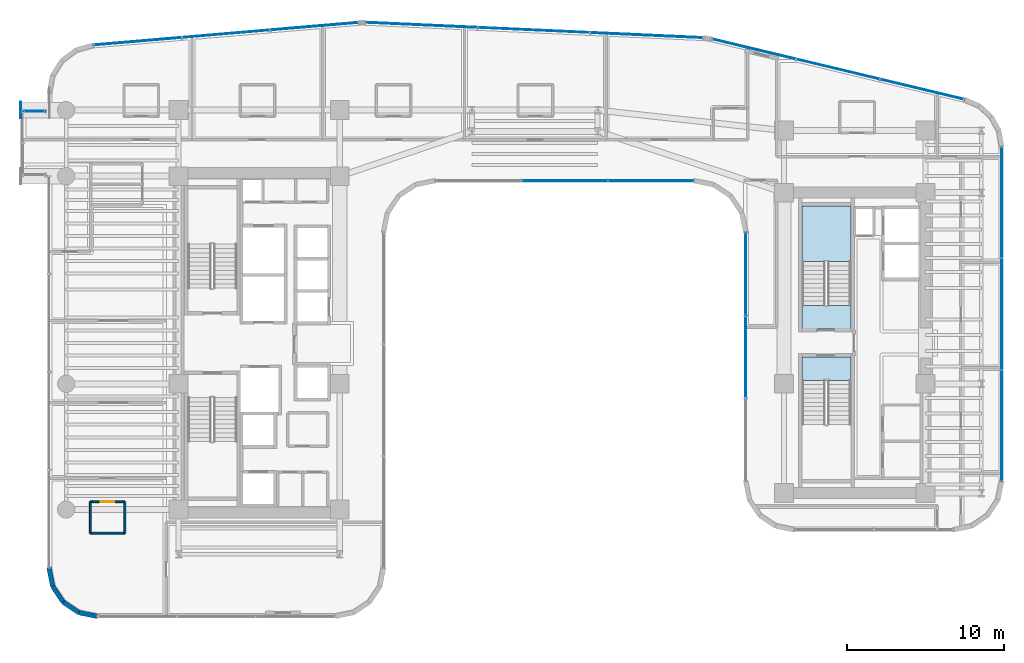
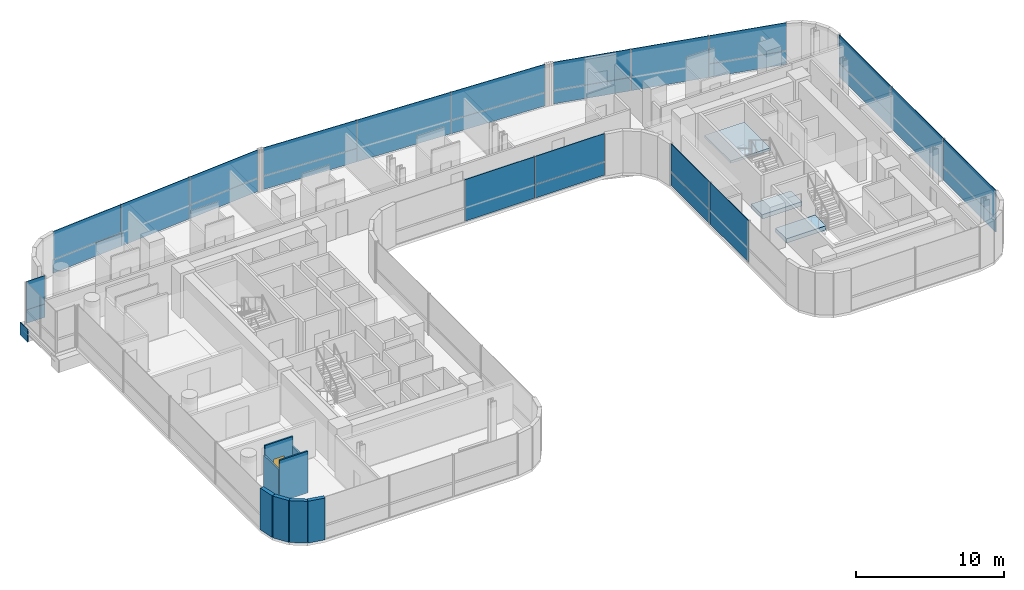
# One storey, part 26 of 35: 29 plates, 8 walls, 3 slabs, 1 door, 1 opening, 8 elements without a shape of their own.
"""IFC4 building model written with IfcOpenShell, lengths in metres."""

from ifc_helpers import new_model, si_unit, direction, frame, frame_2d, origin, origin_2d, place, context, subcontext, project, spatial, polyline, rectangle, outline, extrude, source, transform, mapped, material, layer, layer_set, type_object, element, fill, aggregate, save


model = new_model("IFC4")

# Units and contexts
model_context = context("Model", 3, precision=1e-05, world=origin(), true_north=direction((0.0, 1.0)))
body_context = subcontext(model_context, "Body", "Model", "MODEL_VIEW")
ifc_project = project(units=[si_unit("LENGTHUNIT", "METRE"), si_unit("AREAUNIT", "SQUARE_METRE"), si_unit("VOLUMEUNIT", "CUBIC_METRE"), si_unit("PLANEANGLEUNIT", "RADIAN"), si_unit("MASSUNIT", "GRAM", prefix="KILO")], contexts=[model_context])

# Site, building, storey
site_placement = place(None, origin())
site = spatial("IfcSite", under=ifc_project, at=site_placement, CompositionType="ELEMENT")
building_placement = place(site_placement, origin())
building = spatial("IfcBuilding", under=site, at=building_placement, Name="Valdorenza Pilgrim Sanctuary Tower", CompositionType="ELEMENT")
storey_placement = place(building_placement, frame((0.0, 0.0, 116.800048828125)))
storey = spatial("IfcBuildingStorey", under=building, at=storey_placement, Name="L29", CompositionType="ELEMENT", Elevation=116.800048828125)

# Stair, slab
ifc_material_1 = material(Name="Concrete C40/50", Category="concrete")
stair_type = type_object("IfcStairType", Name="STR-DOG-CORE", PredefinedType="HALF_TURN_STAIR", material=ifc_material_1)
stair_placement = place(storey_placement, origin())
stair = element("IfcStair", 1, at=stair_placement, inside=storey, type_object=stair_type, Name="L29 ST-B1", PredefinedType="HALF_TURN_STAIR")
ifc_layer_1 = layer(ifc_material_1, 0.199951171875, Name="Concrete C40/50")
ifc_layer_set_1 = layer_set([ifc_layer_1], Name="Concrete C40/50")
slab_type_1 = type_object("IfcSlabType", Name="SLAB-STL-200", PredefinedType="LANDING", material=ifc_layer_set_1)
slab_1_placement = place(storey_placement, frame((0.0, 0.0, 1.64990234375)))
slab_1 = element("IfcSlab", 2, at=slab_1_placement, type_object=slab_type_1, Name="ST-B1 landing 1", PredefinedType="LANDING", context=body_context, shape_type="SweptSolid", body=[
    extrude(outline(polyline([(20.110107421875, 5.179931640625), (20.110107421875, 8.699951171875), (17.0, 8.699951171875), (17.0, 5.179931640625), (20.110107421875, 5.179931640625)])), origin(), (0.0, 0.0, 1.0), 0.199951171875),
])
aggregate(stair, [slab_1])

# Slabs
ifc_material_2 = material(Name="Concrete C50/60", Category="concrete")
ifc_layer_2 = layer(ifc_material_2, 0.39990234375, Name="Concrete C50/60")
ifc_layer_set_2 = layer_set([ifc_layer_2], Name="Concrete C50/60")
slab_type_2 = type_object("IfcSlabType", Name="SLAB-TRF-400", PredefinedType="FLOOR", material=ifc_layer_set_2)
slab_2_placement = place(storey_placement, frame((0.0, 0.0, -0.360107421875)))
element("IfcSlab", 3, at=slab_2_placement, inside=storey, type_object=slab_type_2, Name="L29 ST-B1 Structural Stair Landing Bearing Slab", PredefinedType="FLOOR", context=body_context, shape_type="SweptSolid", body=[
    extrude(outline(polyline([(17.0, 0.89990234375), (20.110107421875, 0.89990234375), (20.110107421875, 2.385009765625), (17.0, 2.385009765625), (17.0, 0.89990234375)])), origin(), (0.0, 0.0, 1.0), 0.360107421875),
])
slab_3_placement = place(storey_placement, frame((0.0, 0.0, -0.360107421875)))
element("IfcSlab", 4, at=slab_3_placement, inside=storey, type_object=slab_type_2, Name="L29 ST-B2 Structural Stair Landing Bearing Slab", PredefinedType="FLOOR", context=body_context, shape_type="SweptSolid", body=[
    extrude(outline(polyline([(17.0, -2.385009765625), (20.110107421875, -2.385009765625), (20.110107421875, -0.89990234375), (17.0, -0.89990234375), (17.0, -2.385009765625)])), origin(), (0.0, 0.0, 1.0), 0.360107421875),
])

# Plate
ifc_material_3 = material(Name="Steel ASTM A572 Grade 42", Category="steel")
ifc_layer_3 = layer(ifc_material_3, 0.06005859375, Name="Steel ASTM A572 Grade 42")
ifc_layer_set_3 = layer_set([ifc_layer_3], Name="Steel ASTM A572 Grade 42")
plate_type_1 = type_object("IfcPlateType", Name="PLT-CAP-60", PredefinedType="SHEET", material=ifc_layer_set_3)
shared_shape_1 = source(origin(), body_context, "Body", "SweptSolid", [
    extrude(rectangle(XDim=0.06005859375, YDim=1.0400390625, at=origin_2d()), origin(), (0.0, 0.0, 1.0), 1.0400390625),
])
plate_1_placement = place(storey_placement, frame((-32.679931640625, 14.800048828125, -1.260009765625), z_axis=(0.0, 0.0, 1.0), x_axis=(1.0, 0.0, 0.0)))
element("IfcPlate", 5, at=plate_1_placement, inside=storey, type_object=plate_type_1, Name="L29 BOX-WA-L29 Cantilever Tip End Cap N", PredefinedType="SHEET", context=body_context, shape_type="MappedRepresentation", body=[
    mapped(shared_shape_1, transform((0.0, 0.0, 0.0), x_axis=(1.0, 0.0, 0.0), y_axis=(0.0, 1.0, 0.0), z_axis=(0.0, 0.0, 1.0), scale=1.0)),
])

# Curtain wall, plates
ifc_material_4 = material(Name="Curtain-wall IGU glazing", Category="glass")
curtain_wall_type_1 = type_object("IfcCurtainWallType", Name="CW-SYS-02", PredefinedType="NOTDEFINED", material=ifc_material_4)
curtain_wall_1_placement = place(storey_placement, origin())
curtain_wall_1 = element("IfcCurtainWall", 6, at=curtain_wall_1_placement, inside=storey, type_object=curtain_wall_type_1, Name="L29 Curtain Wall CW-L29-1-36", PredefinedType="NOTDEFINED")
ifc_material_5 = material(Name="Honed travertine limestone", Category="masonry")
ifc_layer_4 = layer(ifc_material_5, 0.050048828125, Name="Honed travertine limestone")
ifc_layer_set_4 = layer_set([ifc_layer_4], Name="Honed travertine limestone")
plate_type_2 = type_object("IfcPlateType", Name="CW-SPN-TRV", PredefinedType="USERDEFINED", material=ifc_layer_set_4)
shared_shape_2 = source(origin(), body_context, "Body", "SweptSolid", [
    extrude(rectangle(XDim=5.453857421875, YDim=0.06005859375, at=origin_2d()), origin(), (0.0, 0.0, 1.0), 1.10009765625),
])
plate_2_placement = place(storey_placement, frame((7.373779296875, 10.31005859375, 0.010009765625), z_axis=(0.0, 0.0, 1.0), x_axis=(-1.0, 0.0, 0.0)))
plate_2 = element("IfcPlate", 7, at=plate_2_placement, type_object=plate_type_2, Name="CW-L29-1-36 Travertine Spandrel 1", ObjectType="SPANDREL", PredefinedType="USERDEFINED", context=body_context, shape_type="MappedRepresentation", body=[
    mapped(shared_shape_2, transform((0.0, 0.0, 0.0), x_axis=(1.0, 0.0, 0.0), y_axis=(0.0, 1.0, 0.0), z_axis=(0.0, 0.0, 1.0), scale=1.0)),
])
ifc_material_6 = material(Name="Ceramic-fritted low-E IGU glazing", Category="glass")
ifc_layer_5 = layer(ifc_material_6, 0.035888671875, Name="Ceramic-fritted low-E IGU glazing")
ifc_layer_set_5 = layer_set([ifc_layer_5], Name="Ceramic-fritted low-E IGU glazing")
plate_type_3 = type_object("IfcPlateType", Name="CW-GLZ-IGU", PredefinedType="USERDEFINED", material=ifc_layer_set_5)
shared_shape_3 = source(origin(), body_context, "Body", "SweptSolid", [
    extrude(rectangle(XDim=5.453857421875, YDim=0.050048828125, at=origin_2d()), origin(), (0.0, 0.0, 1.0), 2.320068359375),
])
plate_3_placement = place(storey_placement, frame((7.373779296875, 10.31005859375, 1.1298828125), z_axis=(0.0, 0.0, 1.0), x_axis=(-1.0, 0.0, 0.0)))
plate_3 = element("IfcPlate", 8, at=plate_3_placement, type_object=plate_type_3, Name="CW-L29-1-36 Facade Panel 1", ObjectType="GLAZING", PredefinedType="USERDEFINED", context=body_context, shape_type="MappedRepresentation", body=[
    mapped(shared_shape_3, transform((0.0, 0.0, 0.0), x_axis=(1.0, 0.0, 0.0), y_axis=(0.0, 1.0, 0.0), z_axis=(0.0, 0.0, 1.0), scale=1.0)),
])
shared_shape_4 = source(origin(), body_context, "Body", "SweptSolid", [
    extrude(rectangle(XDim=5.453857421875, YDim=0.050048828125, at=origin_2d()), origin(), (0.0, 0.0, 1.0), 3.43994140625),
])
plate_4_placement = place(storey_placement, frame((1.89990234375, 10.31005859375, 0.010009765625), z_axis=(0.0, 0.0, 1.0), x_axis=(-1.0, 0.0, 0.0)))
plate_4 = element("IfcPlate", 9, at=plate_4_placement, type_object=plate_type_3, Name="CW-L29-1-36 Full-Height Facade Panel 2", ObjectType="GLAZING", PredefinedType="USERDEFINED", context=body_context, shape_type="MappedRepresentation", body=[
    mapped(shared_shape_4, transform((0.0, 0.0, 0.0), x_axis=(1.0, 0.0, 0.0), y_axis=(0.0, 1.0, 0.0), z_axis=(0.0, 0.0, 1.0), scale=1.0)),
])
aggregate(curtain_wall_1, [plate_2, plate_3, plate_4])

curtain_wall_2_placement = place(storey_placement, origin())
curtain_wall_2 = element("IfcCurtainWall", 10, at=curtain_wall_2_placement, inside=storey, type_object=curtain_wall_type_1, Name="L29 Curtain Wall CW-L29-BOX-WA-L29-N", PredefinedType="NOTDEFINED")
shared_shape_5 = source(origin(), body_context, "Body", "SweptSolid", [
    extrude(rectangle(XDim=1.43994140625, YDim=0.06005859375, at=origin_2d()), origin(), (0.0, 0.0, 1.0), 1.10009765625),
])
plate_5_placement = place(storey_placement, frame((-31.840087890625, 14.719970703125, 0.010009765625), z_axis=(0.0, 0.0, 1.0), x_axis=(1.0, 0.0, 0.0)))
plate_5 = element("IfcPlate", 11, at=plate_5_placement, type_object=plate_type_2, Name="CW-L29-BOX-WA-L29-N Travertine Spandrel 1", ObjectType="SPANDREL", PredefinedType="USERDEFINED", context=body_context, shape_type="MappedRepresentation", body=[
    mapped(shared_shape_5, transform((0.0, 0.0, 0.0), x_axis=(1.0, 0.0, 0.0), y_axis=(0.0, 1.0, 0.0), z_axis=(0.0, 0.0, 1.0), scale=1.0)),
])
shared_shape_6 = source(origin(), body_context, "Body", "SweptSolid", [
    extrude(rectangle(XDim=1.43994140625, YDim=0.050048828125, at=origin_2d()), origin(), (0.0, 0.0, 1.0), 2.320068359375),
])
plate_6_placement = place(storey_placement, frame((-31.840087890625, 14.719970703125, 1.1298828125), z_axis=(0.0, 0.0, 1.0), x_axis=(1.0, 0.0, 0.0)))
plate_6 = element("IfcPlate", 12, at=plate_6_placement, type_object=plate_type_3, Name="CW-L29-BOX-WA-L29-N Facade Panel 1", ObjectType="GLAZING", PredefinedType="USERDEFINED", context=body_context, shape_type="MappedRepresentation", body=[
    mapped(shared_shape_6, transform((0.0, 0.0, 0.0), x_axis=(1.0, 0.0, 0.0), y_axis=(0.0, 1.0, 0.0), z_axis=(0.0, 0.0, 1.0), scale=1.0)),
])
aggregate(curtain_wall_2, [plate_5, plate_6])

curtain_wall_3_placement = place(storey_placement, origin())
curtain_wall_3 = element("IfcCurtainWall", 13, at=curtain_wall_3_placement, inside=storey, type_object=curtain_wall_type_1, Name="L29 Curtain Wall CW-L29-1-6", PredefinedType="NOTDEFINED")
shared_shape_7 = source(origin(), body_context, "Body", "SweptSolid", [
    extrude(rectangle(XDim=5.61767578125, YDim=0.06005859375, at=origin_2d()), origin(), (0.0, 0.0, 1.0), 1.10009765625),
])
plate_7_placement = place(storey_placement, frame((-25.242919921875, 19.178955078125, 0.010009765625), z_axis=(0.0, 0.0, 1.0), x_axis=(0.99640764237, 0.084686541006, 0.0)))
plate_7 = element("IfcPlate", 14, at=plate_7_placement, type_object=plate_type_2, Name="CW-L29-1-6 Travertine Spandrel 1", ObjectType="SPANDREL", PredefinedType="USERDEFINED", context=body_context, shape_type="MappedRepresentation", body=[
    mapped(shared_shape_7, transform((0.0, 0.0, 0.0), x_axis=(1.0, 0.0, 0.0), y_axis=(0.0, 1.0, 0.0), z_axis=(0.0, 0.0, 1.0), scale=1.0)),
])
plate_8_placement = place(storey_placement, frame((-14.008056640625, 20.1337890625, 0.010009765625), z_axis=(0.0, 0.0, 1.0), x_axis=(0.99640764237, 0.084686541006, 0.0)))
plate_8 = element("IfcPlate", 15, at=plate_8_placement, type_object=plate_type_2, Name="CW-L29-1-6 Travertine Spandrel 3", ObjectType="SPANDREL", PredefinedType="USERDEFINED", context=body_context, shape_type="MappedRepresentation", body=[
    mapped(shared_shape_7, transform((0.0, 0.0, 0.0), x_axis=(1.0, 0.0, 0.0), y_axis=(0.0, 1.0, 0.0), z_axis=(0.0, 0.0, 1.0), scale=1.0)),
])

curtain_wall_4_placement = place(storey_placement, origin())
curtain_wall_4 = element("IfcCurtainWall", 16, at=curtain_wall_4_placement, inside=storey, type_object=curtain_wall_type_1, Name="L29 Curtain Wall CW-L29-1-11", PredefinedType="NOTDEFINED")
shared_shape_8 = source(origin(), body_context, "Body", "SweptSolid", [
    extrude(rectangle(XDim=7.1494140625, YDim=0.06005859375, at=origin_2d()), origin(), (0.0, 0.0, 1.0), 1.10009765625),
])
plate_9_placement = place(storey_placement, frame((-7.21484375, 20.2177734375, 0.010009765625), z_axis=(0.0, 0.0, 1.0), x_axis=(0.998968193221, -0.045415294044, 0.0)))
plate_9 = element("IfcPlate", 17, at=plate_9_placement, type_object=plate_type_2, Name="CW-L29-1-11 Travertine Spandrel 1", ObjectType="SPANDREL", PredefinedType="USERDEFINED", context=body_context, shape_type="MappedRepresentation", body=[
    mapped(shared_shape_8, transform((0.0, 0.0, 0.0), x_axis=(1.0, 0.0, 0.0), y_axis=(0.0, 1.0, 0.0), z_axis=(0.0, 0.0, 1.0), scale=1.0)),
])
plate_10_placement = place(storey_placement, frame((7.10888671875, 19.56689453125, 0.010009765625), z_axis=(0.0, 0.0, 1.0), x_axis=(0.998968193221, -0.045415294044, 0.0)))
plate_10 = element("IfcPlate", 18, at=plate_10_placement, type_object=plate_type_2, Name="CW-L29-1-11 Travertine Spandrel 3", ObjectType="SPANDREL", PredefinedType="USERDEFINED", context=body_context, shape_type="MappedRepresentation", body=[
    mapped(shared_shape_8, transform((0.0, 0.0, 0.0), x_axis=(1.0, 0.0, 0.0), y_axis=(0.0, 1.0, 0.0), z_axis=(0.0, 0.0, 1.0), scale=1.0)),
])

curtain_wall_type_2 = type_object("IfcCurtainWallType", Name="CW-SYS-03", PredefinedType="NOTDEFINED", material=ifc_material_4)
curtain_wall_5_placement = place(storey_placement, origin())
curtain_wall_5 = element("IfcCurtainWall", 19, at=curtain_wall_5_placement, inside=storey, type_object=curtain_wall_type_2, Name="L29 Curtain Wall CW-L29-1-16", PredefinedType="NOTDEFINED")
shared_shape_9 = source(origin(), body_context, "Body", "SweptSolid", [
    extrude(rectangle(XDim=5.477294921875, YDim=0.06005859375, at=origin_2d()), origin(), (0.0, 0.0, 1.0), 1.10009765625),
])
plate_11_placement = place(storey_placement, frame((13.944580078125, 18.68212890625, 0.010009765625), z_axis=(0.0, 0.0, 1.0), x_axis=(0.972528596343, -0.232783438617, 0.0)))
plate_11 = element("IfcPlate", 20, at=plate_11_placement, type_object=plate_type_2, Name="CW-L29-1-16 Travertine Spandrel 1", ObjectType="SPANDREL", PredefinedType="USERDEFINED", context=body_context, shape_type="MappedRepresentation", body=[
    mapped(shared_shape_9, transform((0.0, 0.0, 0.0), x_axis=(1.0, 0.0, 0.0), y_axis=(0.0, 1.0, 0.0), z_axis=(0.0, 0.0, 1.0), scale=1.0)),
])
plate_12_placement = place(storey_placement, frame((24.63720703125, 16.122802734375, 0.010009765625), z_axis=(0.0, 0.0, 1.0), x_axis=(0.972528596343, -0.232783438617, 0.0)))
plate_12 = element("IfcPlate", 21, at=plate_12_placement, type_object=plate_type_2, Name="CW-L29-1-16 Travertine Spandrel 3", ObjectType="SPANDREL", PredefinedType="USERDEFINED", context=body_context, shape_type="MappedRepresentation", body=[
    mapped(shared_shape_9, transform((0.0, 0.0, 0.0), x_axis=(1.0, 0.0, 0.0), y_axis=(0.0, 1.0, 0.0), z_axis=(0.0, 0.0, 1.0), scale=1.0)),
])

curtain_wall_6_placement = place(storey_placement, origin())
curtain_wall_6 = element("IfcCurtainWall", 22, at=curtain_wall_6_placement, inside=storey, type_object=curtain_wall_type_2, Name="L29 Curtain Wall CW-L29-1-21", PredefinedType="NOTDEFINED")
shared_shape_10 = source(origin(), body_context, "Body", "SweptSolid", [
    extrude(rectangle(XDim=7.065185546875, YDim=0.06005859375, at=origin_2d()), origin(), (0.0, 0.0, 1.0), 1.10009765625),
])
plate_13_placement = place(storey_placement, frame((29.68994140625, 8.923828125, 0.010009765625), z_axis=(0.0, 0.0, 1.0), x_axis=(0.0, -1.0, 0.0)))
plate_13 = element("IfcPlate", 23, at=plate_13_placement, type_object=plate_type_2, Name="CW-L29-1-21 Travertine Spandrel 1", ObjectType="SPANDREL", PredefinedType="USERDEFINED", context=body_context, shape_type="MappedRepresentation", body=[
    mapped(shared_shape_10, transform((0.0, 0.0, 0.0), x_axis=(1.0, 0.0, 0.0), y_axis=(0.0, 1.0, 0.0), z_axis=(0.0, 0.0, 1.0), scale=1.0)),
])
plate_14_placement = place(storey_placement, frame((29.68994140625, -5.24658203125, 0.010009765625), z_axis=(0.0, 0.0, 1.0), x_axis=(0.0, -1.0, 0.0)))
plate_14 = element("IfcPlate", 24, at=plate_14_placement, type_object=plate_type_2, Name="CW-L29-1-21 Travertine Spandrel 3", ObjectType="SPANDREL", PredefinedType="USERDEFINED", context=body_context, shape_type="MappedRepresentation", body=[
    mapped(shared_shape_10, transform((0.0, 0.0, 0.0), x_axis=(1.0, 0.0, 0.0), y_axis=(0.0, 1.0, 0.0), z_axis=(0.0, 0.0, 1.0), scale=1.0)),
])

# Curtain wall, plate
curtain_wall_7_placement = place(storey_placement, origin())
curtain_wall_7 = element("IfcCurtainWall", 25, at=curtain_wall_7_placement, inside=storey, type_object=curtain_wall_type_2, Name="L29 Curtain Wall CW-L29-1-31", PredefinedType="NOTDEFINED")
shared_shape_11 = source(origin(), body_context, "Body", "SweptSolid", [
    extrude(rectangle(XDim=5.24658203125, YDim=0.06005859375, at=origin_2d()), origin(), (0.0, 0.0, 1.0), 1.10009765625),
])
plate_15_placement = place(storey_placement, frame((13.409912109375, 4.37744140625, 0.010009765625), z_axis=(0.0, 0.0, 1.0), x_axis=(0.0, 1.0, 0.0)))
plate_15 = element("IfcPlate", 26, at=plate_15_placement, type_object=plate_type_2, Name="CW-L29-1-31 Travertine Spandrel 3", ObjectType="SPANDREL", PredefinedType="USERDEFINED", context=body_context, shape_type="MappedRepresentation", body=[
    mapped(shared_shape_11, transform((0.0, 0.0, 0.0), x_axis=(1.0, 0.0, 0.0), y_axis=(0.0, 1.0, 0.0), z_axis=(0.0, 0.0, 1.0), scale=1.0)),
])

# Plate
shared_shape_12 = source(origin(), body_context, "Body", "SweptSolid", [
    extrude(rectangle(XDim=5.61767578125, YDim=0.050048828125, at=origin_2d()), origin(), (0.0, 0.0, 1.0), 3.43994140625),
])
plate_16_placement = place(storey_placement, frame((-19.62548828125, 19.656494140625, 0.010009765625), z_axis=(0.0, 0.0, 1.0), x_axis=(0.99640764237, 0.084686541006, 0.0)))
plate_16 = element("IfcPlate", 27, at=plate_16_placement, type_object=plate_type_3, Name="CW-L29-1-6 Full-Height Facade Panel 2", ObjectType="GLAZING", PredefinedType="USERDEFINED", context=body_context, shape_type="MappedRepresentation", body=[
    mapped(shared_shape_12, transform((0.0, 0.0, 0.0), x_axis=(1.0, 0.0, 0.0), y_axis=(0.0, 1.0, 0.0), z_axis=(0.0, 0.0, 1.0), scale=1.0)),
])

shared_shape_13 = source(origin(), body_context, "Body", "SweptSolid", [
    extrude(rectangle(XDim=5.61767578125, YDim=0.050048828125, at=origin_2d()), origin(), (0.0, 0.0, 1.0), 2.320068359375),
])
plate_17_placement = place(storey_placement, frame((-25.242919921875, 19.178955078125, 1.1298828125), z_axis=(0.0, 0.0, 1.0), x_axis=(0.99640764237, 0.084686541006, 0.0)))
plate_17 = element("IfcPlate", 28, at=plate_17_placement, type_object=plate_type_3, Name="CW-L29-1-6 Facade Panel 1", ObjectType="GLAZING", PredefinedType="USERDEFINED", context=body_context, shape_type="MappedRepresentation", body=[
    mapped(shared_shape_13, transform((0.0, 0.0, 0.0), x_axis=(1.0, 0.0, 0.0), y_axis=(0.0, 1.0, 0.0), z_axis=(0.0, 0.0, 1.0), scale=1.0)),
])

plate_18_placement = place(storey_placement, frame((-14.008056640625, 20.1337890625, 1.1298828125), z_axis=(0.0, 0.0, 1.0), x_axis=(0.99640764237, 0.084686541006, 0.0)))
plate_18 = element("IfcPlate", 29, at=plate_18_placement, type_object=plate_type_3, Name="CW-L29-1-6 Facade Panel 3", ObjectType="GLAZING", PredefinedType="USERDEFINED", context=body_context, shape_type="MappedRepresentation", body=[
    mapped(shared_shape_13, transform((0.0, 0.0, 0.0), x_axis=(1.0, 0.0, 0.0), y_axis=(0.0, 1.0, 0.0), z_axis=(0.0, 0.0, 1.0), scale=1.0)),
])

aggregate(curtain_wall_3, [plate_7, plate_17, plate_16, plate_8, plate_18])

shared_shape_14 = source(origin(), body_context, "Body", "SweptSolid", [
    extrude(rectangle(XDim=7.1494140625, YDim=0.050048828125, at=origin_2d()), origin(), (0.0, 0.0, 1.0), 3.43994140625),
])
plate_19_placement = place(storey_placement, frame((-0.052978515625, 19.892333984375, 0.010009765625), z_axis=(0.0, 0.0, 1.0), x_axis=(0.998968193221, -0.045415294044, 0.0)))
plate_19 = element("IfcPlate", 30, at=plate_19_placement, type_object=plate_type_3, Name="CW-L29-1-11 Full-Height Facade Panel 2", ObjectType="GLAZING", PredefinedType="USERDEFINED", context=body_context, shape_type="MappedRepresentation", body=[
    mapped(shared_shape_14, transform((0.0, 0.0, 0.0), x_axis=(1.0, 0.0, 0.0), y_axis=(0.0, 1.0, 0.0), z_axis=(0.0, 0.0, 1.0), scale=1.0)),
])

shared_shape_15 = source(origin(), body_context, "Body", "SweptSolid", [
    extrude(rectangle(XDim=7.1494140625, YDim=0.050048828125, at=origin_2d()), origin(), (0.0, 0.0, 1.0), 2.320068359375),
])
plate_20_placement = place(storey_placement, frame((-7.21484375, 20.2177734375, 1.1298828125), z_axis=(0.0, 0.0, 1.0), x_axis=(0.998968193221, -0.045415294044, 0.0)))
plate_20 = element("IfcPlate", 31, at=plate_20_placement, type_object=plate_type_3, Name="CW-L29-1-11 Facade Panel 1", ObjectType="GLAZING", PredefinedType="USERDEFINED", context=body_context, shape_type="MappedRepresentation", body=[
    mapped(shared_shape_15, transform((0.0, 0.0, 0.0), x_axis=(1.0, 0.0, 0.0), y_axis=(0.0, 1.0, 0.0), z_axis=(0.0, 0.0, 1.0), scale=1.0)),
])

plate_21_placement = place(storey_placement, frame((7.10888671875, 19.56689453125, 1.1298828125), z_axis=(0.0, 0.0, 1.0), x_axis=(0.998968193221, -0.045415294044, 0.0)))
plate_21 = element("IfcPlate", 32, at=plate_21_placement, type_object=plate_type_3, Name="CW-L29-1-11 Facade Panel 3", ObjectType="GLAZING", PredefinedType="USERDEFINED", context=body_context, shape_type="MappedRepresentation", body=[
    mapped(shared_shape_15, transform((0.0, 0.0, 0.0), x_axis=(1.0, 0.0, 0.0), y_axis=(0.0, 1.0, 0.0), z_axis=(0.0, 0.0, 1.0), scale=1.0)),
])

aggregate(curtain_wall_4, [plate_9, plate_20, plate_19, plate_10, plate_21])

shared_shape_16 = source(origin(), body_context, "Body", "SweptSolid", [
    extrude(rectangle(XDim=5.477294921875, YDim=0.050048828125, at=origin_2d()), origin(), (0.0, 0.0, 1.0), 3.43994140625),
])
plate_22_placement = place(storey_placement, frame((19.291015625, 17.40234375, 0.010009765625), z_axis=(0.0, 0.0, 1.0), x_axis=(0.972528596343, -0.232783438617, 0.0)))
plate_22 = element("IfcPlate", 33, at=plate_22_placement, type_object=plate_type_3, Name="CW-L29-1-16 Full-Height Facade Panel 2", ObjectType="GLAZING", PredefinedType="USERDEFINED", context=body_context, shape_type="MappedRepresentation", body=[
    mapped(shared_shape_16, transform((0.0, 0.0, 0.0), x_axis=(1.0, 0.0, 0.0), y_axis=(0.0, 1.0, 0.0), z_axis=(0.0, 0.0, 1.0), scale=1.0)),
])

shared_shape_17 = source(origin(), body_context, "Body", "SweptSolid", [
    extrude(rectangle(XDim=5.477294921875, YDim=0.050048828125, at=origin_2d()), origin(), (0.0, 0.0, 1.0), 2.320068359375),
])
plate_23_placement = place(storey_placement, frame((13.944580078125, 18.68212890625, 1.1298828125), z_axis=(0.0, 0.0, 1.0), x_axis=(0.972528596343, -0.232783438617, 0.0)))
plate_23 = element("IfcPlate", 34, at=plate_23_placement, type_object=plate_type_3, Name="CW-L29-1-16 Facade Panel 1", ObjectType="GLAZING", PredefinedType="USERDEFINED", context=body_context, shape_type="MappedRepresentation", body=[
    mapped(shared_shape_17, transform((0.0, 0.0, 0.0), x_axis=(1.0, 0.0, 0.0), y_axis=(0.0, 1.0, 0.0), z_axis=(0.0, 0.0, 1.0), scale=1.0)),
])

plate_24_placement = place(storey_placement, frame((24.63720703125, 16.122802734375, 1.1298828125), z_axis=(0.0, 0.0, 1.0), x_axis=(0.972528596343, -0.232783438617, 0.0)))
plate_24 = element("IfcPlate", 35, at=plate_24_placement, type_object=plate_type_3, Name="CW-L29-1-16 Facade Panel 3", ObjectType="GLAZING", PredefinedType="USERDEFINED", context=body_context, shape_type="MappedRepresentation", body=[
    mapped(shared_shape_17, transform((0.0, 0.0, 0.0), x_axis=(1.0, 0.0, 0.0), y_axis=(0.0, 1.0, 0.0), z_axis=(0.0, 0.0, 1.0), scale=1.0)),
])

aggregate(curtain_wall_5, [plate_11, plate_23, plate_22, plate_12, plate_24])

shared_shape_18 = source(origin(), body_context, "Body", "SweptSolid", [
    extrude(rectangle(XDim=7.065185546875, YDim=0.050048828125, at=origin_2d()), origin(), (0.0, 0.0, 1.0), 2.320068359375),
])
plate_25_placement = place(storey_placement, frame((29.68994140625, 8.923828125, 1.1298828125), z_axis=(0.0, 0.0, 1.0), x_axis=(0.0, -1.0, 0.0)))
plate_25 = element("IfcPlate", 36, at=plate_25_placement, type_object=plate_type_3, Name="CW-L29-1-21 Facade Panel 1", ObjectType="GLAZING", PredefinedType="USERDEFINED", context=body_context, shape_type="MappedRepresentation", body=[
    mapped(shared_shape_18, transform((0.0, 0.0, 0.0), x_axis=(1.0, 0.0, 0.0), y_axis=(0.0, 1.0, 0.0), z_axis=(0.0, 0.0, 1.0), scale=1.0)),
])

plate_26_placement = place(storey_placement, frame((29.68994140625, -5.24658203125, 1.1298828125), z_axis=(0.0, 0.0, 1.0), x_axis=(0.0, -1.0, 0.0)))
plate_26 = element("IfcPlate", 37, at=plate_26_placement, type_object=plate_type_3, Name="CW-L29-1-21 Facade Panel 3", ObjectType="GLAZING", PredefinedType="USERDEFINED", context=body_context, shape_type="MappedRepresentation", body=[
    mapped(shared_shape_18, transform((0.0, 0.0, 0.0), x_axis=(1.0, 0.0, 0.0), y_axis=(0.0, 1.0, 0.0), z_axis=(0.0, 0.0, 1.0), scale=1.0)),
])

shared_shape_19 = source(origin(), body_context, "Body", "SweptSolid", [
    extrude(rectangle(XDim=7.065185546875, YDim=0.050048828125, at=origin_2d()), origin(), (0.0, 0.0, 1.0), 3.43994140625),
])
plate_27_placement = place(storey_placement, frame((29.68994140625, 1.838623046875, 0.010009765625), z_axis=(0.0, 0.0, 1.0), x_axis=(0.0, -1.0, 0.0)))
plate_27 = element("IfcPlate", 38, at=plate_27_placement, type_object=plate_type_3, Name="CW-L29-1-21 Full-Height Facade Panel 2", ObjectType="GLAZING", PredefinedType="USERDEFINED", context=body_context, shape_type="MappedRepresentation", body=[
    mapped(shared_shape_19, transform((0.0, 0.0, 0.0), x_axis=(1.0, 0.0, 0.0), y_axis=(0.0, 1.0, 0.0), z_axis=(0.0, 0.0, 1.0), scale=1.0)),
])

aggregate(curtain_wall_6, [plate_13, plate_25, plate_27, plate_14, plate_26])

shared_shape_20 = source(origin(), body_context, "Body", "SweptSolid", [
    extrude(rectangle(XDim=5.24658203125, YDim=0.050048828125, at=origin_2d()), origin(), (0.0, 0.0, 1.0), 2.320068359375),
])
plate_28_placement = place(storey_placement, frame((13.409912109375, 4.37744140625, 1.1298828125), z_axis=(0.0, 0.0, 1.0), x_axis=(0.0, 1.0, 0.0)))
plate_28 = element("IfcPlate", 39, at=plate_28_placement, type_object=plate_type_3, Name="CW-L29-1-31 Facade Panel 3", ObjectType="GLAZING", PredefinedType="USERDEFINED", context=body_context, shape_type="MappedRepresentation", body=[
    mapped(shared_shape_20, transform((0.0, 0.0, 0.0), x_axis=(1.0, 0.0, 0.0), y_axis=(0.0, 1.0, 0.0), z_axis=(0.0, 0.0, 1.0), scale=1.0)),
])

shared_shape_21 = source(origin(), body_context, "Body", "SweptSolid", [
    extrude(rectangle(XDim=5.24658203125, YDim=0.050048828125, at=origin_2d()), origin(), (0.0, 0.0, 1.0), 3.43994140625),
])
plate_29_placement = place(storey_placement, frame((13.409912109375, -0.88916015625, 0.010009765625), z_axis=(0.0, 0.0, 1.0), x_axis=(0.0, 1.0, 0.0)))
plate_29 = element("IfcPlate", 40, at=plate_29_placement, type_object=plate_type_3, Name="CW-L29-1-31 Full-Height Facade Panel 2", ObjectType="GLAZING", PredefinedType="USERDEFINED", context=body_context, shape_type="MappedRepresentation", body=[
    mapped(shared_shape_21, transform((0.0, 0.0, 0.0), x_axis=(1.0, 0.0, 0.0), y_axis=(0.0, 1.0, 0.0), z_axis=(0.0, 0.0, 1.0), scale=1.0)),
])

aggregate(curtain_wall_7, [plate_29, plate_15, plate_28])

# Walls
ifc_layer_6 = layer(ifc_material_5, 0.300048828125, Name="Honed travertine limestone")
ifc_layer_set_6 = layer_set([ifc_layer_6], Name="Honed travertine limestone")
wall_type_1 = type_object("IfcWallType", Name="WAL-EXT-300", PredefinedType="SOLIDWALL", material=ifc_layer_set_6)
wall_1_placement = place(storey_placement, frame((-27.789306640625, -17.389892578125, 0.0), z_axis=(0.0, 0.0, 1.0), x_axis=(-0.980804027463, 0.194996050505, 0.0)))
element("IfcWall", 41, at=wall_1_placement, inside=storey, type_object=wall_type_1, Name="L29 Rounded Wind-Corner Stone Pier 47", PredefinedType="SOLIDWALL", context=body_context, shape_type="SweptSolid", body=[
    extrude(rectangle(XDim=1.2158203125, YDim=0.300048828125, at=frame_2d((0.60791015625, 0.0))), origin(), (0.0, 0.0, 1.0), 3.4599609375),
])
for number, where, z_axis, x_axis, name in (
    (42, (-28.981689453125, -17.15283203125, 0.0), (0.0, 0.0, 1.0), (-0.831426265255, 0.555635100982, 0.0), "L29 Rounded Wind-Corner Stone Pier 48"),
    (43, (-29.9833984375, -16.4833984375, 0.0), (0.0, 0.0, 1.0), (-0.555635100982, 0.831426265255, 0.0), "L29 Rounded Wind-Corner Stone Pier 49"),
):
    element("IfcWall", number, at=place(storey_placement, frame(where, z_axis=z_axis, x_axis=x_axis)), inside=storey, type_object=wall_type_1, Name=name, PredefinedType="SOLIDWALL", context=body_context, shape_type="SweptSolid", body=[
        extrude(rectangle(XDim=1.204833984375, YDim=0.300048828125, at=frame_2d((0.6025390625, 0.0))), origin(), (0.0, 0.0, 1.0), 3.4599609375),
    ])
wall_2_placement = place(storey_placement, frame((-30.65283203125, -15.481689453125, 0.0), z_axis=(0.0, 0.0, 1.0), x_axis=(-0.194996050505, 0.980804027463, 0.0)))
element("IfcWall", 44, at=wall_2_placement, inside=storey, type_object=wall_type_1, Name="L29 Rounded Wind-Corner Stone Pier 50", PredefinedType="SOLIDWALL", context=body_context, shape_type="SweptSolid", body=[
    extrude(rectangle(XDim=1.2158203125, YDim=0.300048828125, at=frame_2d((0.60791015625, 0.0))), origin(), (0.0, 0.0, 1.0), 3.4599609375),
])
ifc_material_7 = material(Name="Moisture-resistant gypsum partition", Category="gypsum")
ifc_layer_7 = layer(ifc_material_7, 0.1201171875, Name="Moisture-resistant gypsum partition")
ifc_layer_set_7 = layer_set([ifc_layer_7], Name="Moisture-resistant gypsum partition")
wall_type_2 = type_object("IfcWallType", Name="WAL-INT-120", PredefinedType="PARTITIONING", material=ifc_layer_set_7)
for number, where, z_axis, x_axis, name in (
    (45, (-28.27001953125, -12.10009765625, 0.0), (0.0, 0.0, 1.0), (0.0, 1.0, 0.0), "L29 Pilgrim Guest Room L29-CS1 En-suite West Wall"),
    (46, (-26.070068359375, -12.10009765625, 0.0), (0.0, 0.0, 1.0), (0.0, 1.0, 0.0), "L29 Pilgrim Guest Room L29-CS1 En-suite East Wall"),
):
    element("IfcWall", number, at=place(storey_placement, frame(where, z_axis=z_axis, x_axis=x_axis)), inside=storey, type_object=wall_type_2, Name=name, PredefinedType="PARTITIONING", context=body_context, shape_type="SweptSolid", body=[
        extrude(rectangle(XDim=2.0, YDim=0.1201171875, at=frame_2d((1.0, 0.0))), origin(), (0.0, 0.0, 1.0), 2.666015625),
    ])
wall_3_placement = place(storey_placement, frame((-28.27001953125, -12.10009765625, 0.0), z_axis=(0.0, 0.0, 1.0), x_axis=(1.0, 0.0, 0.0)))
element("IfcWall", 47, at=wall_3_placement, inside=storey, type_object=wall_type_2, Name="L29 Pilgrim Guest Room L29-CS1 En-suite Back Wall", PredefinedType="PARTITIONING", context=body_context, shape_type="SweptSolid", body=[
    extrude(rectangle(XDim=2.199951171875, YDim=0.1201171875, at=frame_2d((1.10009765625, 0.0))), origin(), (0.0, 0.0, 1.0), 3.4599609375),
])

# Wall, opening, door
wall_4_placement = place(storey_placement, frame((-28.27001953125, -10.10009765625, 0.0), z_axis=(0.0, 0.0, 1.0), x_axis=(1.0, 0.0, 0.0)))
wall_4 = element("IfcWall", 48, at=wall_4_placement, inside=storey, type_object=wall_type_2, Name="L29 Pilgrim Guest Room L29-CS1 En-suite Door Wall", PredefinedType="PARTITIONING", context=body_context, shape_type="SweptSolid", body=[
    extrude(rectangle(XDim=2.199951171875, YDim=0.1201171875, at=frame_2d((1.10009765625, 0.0))), origin(), (0.0, 0.0, 1.0), 3.4599609375),
])
opening_placement = place(wall_4_placement, frame((0.675048828125, 0.0, 0.0)))
opening = element("IfcOpeningElement", 49, at=opening_placement, cuts=wall_4, Name="Opening DR-WC1", PredefinedType="OPENING", context=body_context, shape_type="SweptSolid", body=[
    extrude(rectangle(XDim=0.85009765625, YDim=2.10009765625, at=frame_2d((0.425048828125, 1.050048828125))), frame((0.0, 0.074951171875, 0.0), z_axis=(0.0, -1.0, 0.0), x_axis=(1.0, 0.0, 0.0)), (0.0, 0.0, 1.0), 0.14990234375),
])
ifc_material_8 = material(Name="Moisture-resistant lacquered timber", Category="wood")
door_type = type_object("IfcDoorType", Name="DR-BATH-850", OperationType="NOTDEFINED", PredefinedType="DOOR", material=ifc_material_8)
door_placement = place(opening_placement, origin())
door = element("IfcDoor", 50, at=door_placement, inside=storey, type_object=door_type, Name="L29 Pilgrim Guest Room L29-CS1 En-suite Bathroom Door", OperationType="SINGLE_SWING_RIGHT", OverallHeight=2.10009765625, OverallWidth=0.85009765625, PredefinedType="DOOR", context=body_context, shape_type="SweptSolid", body=[
    extrude(rectangle(XDim=0.85009765625, YDim=2.10009765625, at=frame_2d((0.425048828125, 1.050048828125))), frame((0.0, 0.02490234375, 0.0), z_axis=(0.0, -1.0, 0.0), x_axis=(1.0, 0.0, 0.0)), (0.0, 0.0, 1.0), 0.050048828125),
])
fill(opening, door)

save(model, "model.ifc")
